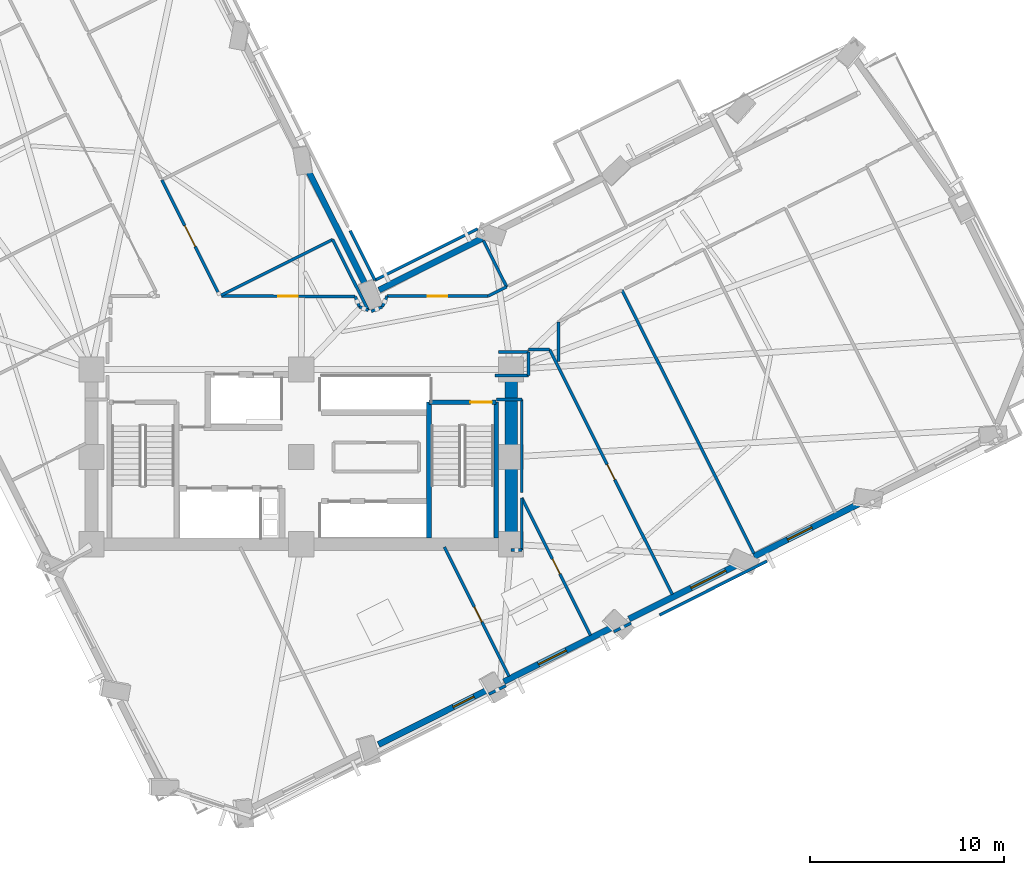
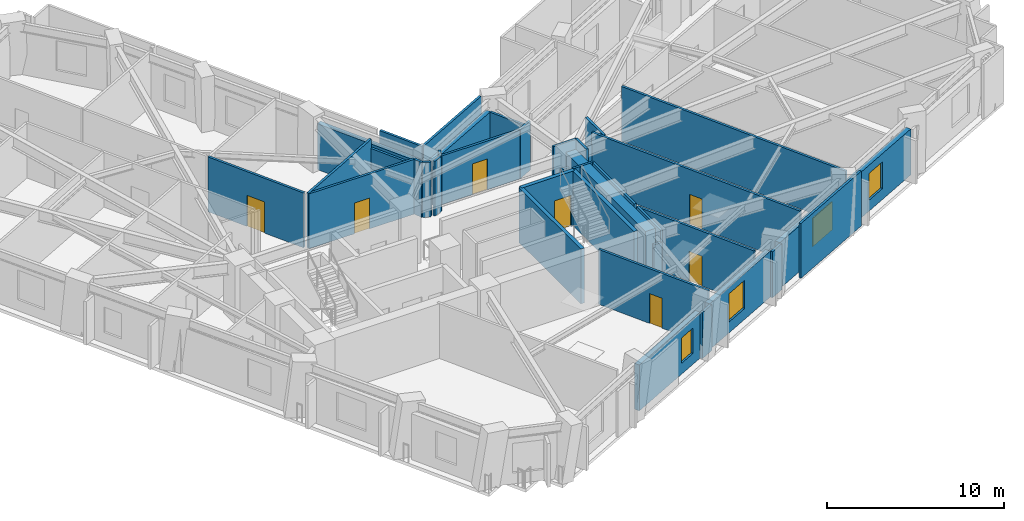
# One storey, part 9 of 16: 39 walls, 7 doors, 4 windows, 11 openings.
"""IFC4 building model written with IfcOpenShell, lengths in metres."""

from ifc_helpers import new_model, si_unit, direction, frame, frame_2d, origin, place, context, subcontext, project, spatial, rectangle, extrude, material, layer, layer_set, type_object, element, fill, save


model = new_model("IFC4")

# Units and contexts
model_context = context("Model", 3, precision=1e-05, world=origin(), true_north=direction((0.0, 1.0)))
body_context = subcontext(model_context, "Body", "Model", "MODEL_VIEW")
ifc_project = project(units=[si_unit("LENGTHUNIT", "METRE"), si_unit("AREAUNIT", "SQUARE_METRE"), si_unit("VOLUMEUNIT", "CUBIC_METRE"), si_unit("PLANEANGLEUNIT", "RADIAN"), si_unit("MASSUNIT", "GRAM", prefix="KILO")], contexts=[model_context])

# Site, building, storey
site_placement = place(None, origin())
site = spatial("IfcSite", under=ifc_project, at=site_placement, CompositionType="ELEMENT")
building_placement = place(site_placement, origin())
building = spatial("IfcBuilding", under=site, at=building_placement, Name="Gaonmaruhae Medical Tower", CompositionType="ELEMENT")
storey_placement = place(building_placement, frame((0.0, 0.0, 136.39990234375)))
storey = spatial("IfcBuildingStorey", under=building, at=storey_placement, Name="L32", CompositionType="ELEMENT", Elevation=136.39990234375)

# Wall
ifc_material_1 = material(Name="Concrete C60/75", Category="concrete")
ifc_layer_1 = layer(ifc_material_1, 0.64990234375)
ifc_layer_set_1 = layer_set([ifc_layer_1], Name="Concrete C60/75")
wall_type_1 = type_object("IfcWallType", Name="CW-650 Zone 2 Core Shear Wall", PredefinedType="SHEAR", material=ifc_layer_set_1)
wall_1_placement = place(storey_placement, frame((35.60009765625, 7.800048828125, 0.0), z_axis=(0.0, 0.0, 1.0), x_axis=(0.0, 1.0, 0.0)))
element("IfcWall", 1, at=wall_1_placement, inside=storey, type_object=wall_type_1, Name="L32 Core Shear Wall CSW-E1", PredefinedType="SHEAR", context=body_context, shape_type="SweptSolid", body=[
    extrude(rectangle(XDim=9.0, YDim=0.64990234375, at=frame_2d((4.5, 0.0))), origin(), (0.0, 0.0, 1.0), 3.780029296875),
])

# Wall, opening, window
ifc_material_2 = material(Name="Precast concrete C45/55", Category="concrete")
ifc_layer_2 = layer(ifc_material_2, 0.320068359375)
ifc_layer_set_2 = layer_set([ifc_layer_2], Name="Precast concrete C45/55")
wall_type_2 = type_object("IfcWallType", Name="EW-320 Lower Precast Masonry-Frame Facade Wall", PredefinedType="SOLIDWALL", material=ifc_layer_set_2)
wall_2_placement = place(storey_placement, frame((34.348876953125, 0.291259765625, 0.0), z_axis=(0.0, 0.0, 1.0), x_axis=(-0.89414504737, -0.447777438316, 0.0)))
wall_2 = element("IfcWall", 2, at=wall_2_placement, inside=storey, type_object=wall_type_2, Name="L32 Precast Masonry-Frame Wall S02-S03", PredefinedType="SOLIDWALL", context=body_context, shape_type="SweptSolid", body=[
    extrude(rectangle(XDim=6.234130859375, YDim=0.320068359375, at=frame_2d((3.1171875, 0.0))), origin(), (0.0, 0.0, 1.0), 3.1650390625),
])
opening_1_placement = place(wall_2_placement, frame((0.734375, 0.0, 0.75)))
opening_1 = element("IfcOpeningElement", 3, at=opening_1_placement, cuts=wall_2, Name="Opening WN-05", PredefinedType="OPENING", context=body_context, shape_type="SweptSolid", body=[
    extrude(rectangle(XDim=1.199951171875, YDim=1.75, at=frame_2d((0.60009765625, 0.875))), frame((0.0, 0.169921875, 0.0), z_axis=(0.0, -1.0, 0.0), x_axis=(1.0, 0.0, 0.0)), (0.0, 0.0, 1.0), 0.340087890625),
])
ifc_material_3 = material(Name="Anodised aluminium and Low-E double glazing", Category="aluminium")
window_type_1 = type_object("IfcWindowType", Name="WN-05 Support & Staff Punched Window 1200x1750", PartitioningType="SINGLE_PANEL", PredefinedType="WINDOW", material=ifc_material_3)
window_1_placement = place(opening_1_placement, origin())
window_1 = element("IfcWindow", 4, at=window_1_placement, inside=storey, type_object=window_type_1, Name="L32 Modular Facade Window S02", OverallHeight=1.75, OverallWidth=1.199951171875, PartitioningType="SINGLE_PANEL", PredefinedType="WINDOW", context=body_context, shape_type="SweptSolid", body=[
    extrude(rectangle(XDim=1.199951171875, YDim=1.75, at=frame_2d((0.60009765625, 0.875))), frame((0.0, 0.030029296875, 0.0), z_axis=(0.0, -1.0, 0.0), x_axis=(1.0, 0.0, 0.0)), (0.0, 0.0, 1.0), 0.06005859375),
])
fill(opening_1, window_1)

wall_3_placement = place(storey_placement, frame((40.78076171875, 3.511962890625, 0.0), z_axis=(0.0, 0.0, 1.0), x_axis=(-0.894152006982, -0.447763540734, 0.0)))
wall_3 = element("IfcWall", 5, at=wall_3_placement, inside=storey, type_object=wall_type_2, Name="L32 Precast Masonry-Frame Wall S03-S04", PredefinedType="SOLIDWALL", context=body_context, shape_type="SweptSolid", body=[
    extrude(rectangle(XDim=6.214111328125, YDim=0.320068359375, at=frame_2d((3.10693359375, 0.0))), origin(), (0.0, 0.0, 1.0), 3.1650390625),
])
opening_2_placement = place(wall_3_placement, frame((2.618896484375, 0.0, 0.75)))
opening_2 = element("IfcOpeningElement", 6, at=opening_2_placement, cuts=wall_3, Name="Opening WN-01", PredefinedType="OPENING", context=body_context, shape_type="SweptSolid", body=[
    extrude(rectangle(XDim=1.60009765625, YDim=1.949951171875, at=frame_2d((0.800048828125, 0.97509765625))), frame((0.0, 0.169921875, 0.0), z_axis=(0.0, -1.0, 0.0), x_axis=(1.0, 0.0, 0.0)), (0.0, 0.0, 1.0), 0.340087890625),
])
window_type_2 = type_object("IfcWindowType", Name="WN-01 Ward Punched Acoustic Window 1600x1950", PartitioningType="SINGLE_PANEL", PredefinedType="WINDOW", material=ifc_material_3)
window_2_placement = place(opening_2_placement, origin())
window_2 = element("IfcWindow", 7, at=window_2_placement, inside=storey, type_object=window_type_2, Name="L32 Modular Facade Window S03", OverallHeight=1.949951171875, OverallWidth=1.60009765625, PartitioningType="SINGLE_PANEL", PredefinedType="WINDOW", context=body_context, shape_type="SweptSolid", body=[
    extrude(rectangle(XDim=1.60009765625, YDim=1.949951171875, at=frame_2d((0.800048828125, 0.97509765625))), frame((0.0, 0.030029296875, 0.0), z_axis=(0.0, -1.0, 0.0), x_axis=(1.0, 0.0, 0.0)), (0.0, 0.0, 1.0), 0.06005859375),
])
fill(opening_2, window_2)

wall_4_placement = place(storey_placement, frame((47.21923828125, 6.736083984375, 0.0), z_axis=(0.0, 0.0, 1.0), x_axis=(-0.894159648303, -0.447748281232, 0.0)))
wall_4 = element("IfcWall", 8, at=wall_4_placement, inside=storey, type_object=wall_type_2, Name="L32 Precast Masonry-Frame Wall S04-S05", PredefinedType="SOLIDWALL", context=body_context, shape_type="SweptSolid", body=[
    extrude(rectangle(XDim=6.208984375, YDim=0.320068359375, at=frame_2d((3.1044921875, 0.0))), origin(), (0.0, 0.0, 1.0), 3.1650390625),
])
opening_3_placement = place(wall_4_placement, frame((0.64013671875, 0.0, 0.75)))
opening_3 = element("IfcOpeningElement", 9, at=opening_3_placement, cuts=wall_4, Name="Opening WN-02", PredefinedType="OPENING", context=body_context, shape_type="SweptSolid", body=[
    extrude(rectangle(XDim=2.0, YDim=1.949951171875, at=frame_2d((1.0, 0.97509765625))), frame((0.0, 0.169921875, 0.0), z_axis=(0.0, -1.0, 0.0), x_axis=(1.0, 0.0, 0.0)), (0.0, 0.0, 1.0), 0.340087890625),
])
window_type_3 = type_object("IfcWindowType", Name="WN-02 Double-Bed Ward Punched Window 2000x1950", PartitioningType="SINGLE_PANEL", PredefinedType="WINDOW", material=ifc_material_3)
window_3_placement = place(opening_3_placement, origin())
window_3 = element("IfcWindow", 10, at=window_3_placement, inside=storey, type_object=window_type_3, Name="L32 Modular Facade Window S04", OverallHeight=1.949951171875, OverallWidth=2.0, PartitioningType="SINGLE_PANEL", PredefinedType="WINDOW", context=body_context, shape_type="SweptSolid", body=[
    extrude(rectangle(XDim=2.0, YDim=1.949951171875, at=frame_2d((1.0, 0.97509765625))), frame((0.0, 0.030029296875, 0.0), z_axis=(0.0, -1.0, 0.0), x_axis=(1.0, 0.0, 0.0)), (0.0, 0.0, 1.0), 0.06005859375),
])
fill(opening_3, window_3)

wall_5_placement = place(storey_placement, frame((53.6640625, 9.96337890625, 0.0), z_axis=(0.0, 0.0, 1.0), x_axis=(-0.894160047845, -0.447747483341, 0.0)))
wall_5 = element("IfcWall", 11, at=wall_5_placement, inside=storey, type_object=wall_type_2, Name="L32 Precast Masonry-Frame Wall S05-S06", PredefinedType="SOLIDWALL", context=body_context, shape_type="SweptSolid", body=[
    extrude(rectangle(XDim=6.21826171875, YDim=0.320068359375, at=frame_2d((3.109130859375, 0.0))), origin(), (0.0, 0.0, 1.0), 3.1650390625),
])
opening_4_placement = place(wall_5_placement, frame((2.89208984375, 0.0, 0.75)))
opening_4 = element("IfcOpeningElement", 12, at=opening_4_placement, cuts=wall_5, Name="Opening WN-03", PredefinedType="OPENING", context=body_context, shape_type="SweptSolid", body=[
    extrude(rectangle(XDim=1.39990234375, YDim=1.85009765625, at=frame_2d((0.699951171875, 0.925048828125))), frame((0.0, 0.169921875, 0.0), z_axis=(0.0, -1.0, 0.0), x_axis=(1.0, 0.0, 0.0)), (0.0, 0.0, 1.0), 0.340087890625),
])
window_type_4 = type_object("IfcWindowType", Name="WN-03 Isolation Ward Punched Window 1400x1850", PartitioningType="SINGLE_PANEL", PredefinedType="WINDOW", material=ifc_material_3)
window_4_placement = place(opening_4_placement, origin())
window_4 = element("IfcWindow", 13, at=window_4_placement, inside=storey, type_object=window_type_4, Name="L32 Modular Facade Window S05", OverallHeight=1.85009765625, OverallWidth=1.39990234375, PartitioningType="SINGLE_PANEL", PredefinedType="WINDOW", context=body_context, shape_type="SweptSolid", body=[
    extrude(rectangle(XDim=1.39990234375, YDim=1.85009765625, at=frame_2d((0.699951171875, 0.925048828125))), frame((0.0, 0.030029296875, 0.0), z_axis=(0.0, -1.0, 0.0), x_axis=(1.0, 0.0, 0.0)), (0.0, 0.0, 1.0), 0.06005859375),
])
fill(opening_4, window_4)

# Walls
wall_6_placement = place(storey_placement, frame((28.79931640625, 20.885986328125, 0.0), z_axis=(0.0, 0.0, 1.0), x_axis=(0.894148466578, 0.447770610599, 0.0)))
element("IfcWall", 14, at=wall_6_placement, inside=storey, type_object=wall_type_2, Name="L32 Precast Masonry-Frame Wall EN03-KN01", PredefinedType="SOLIDWALL", context=body_context, shape_type="SweptSolid", body=[
    extrude(rectangle(XDim=5.9599609375, YDim=0.320068359375, at=frame_2d((2.97998046875, 0.0))), origin(), (0.0, 0.0, 1.0), 2.965087890625),
])
wall_7_placement = place(storey_placement, frame((25.123046875, 27.099609375, 0.0), z_axis=(0.0, 0.0, 1.0), x_axis=(0.447762469935, -0.894152543204, 0.0)))
element("IfcWall", 15, at=wall_7_placement, inside=storey, type_object=wall_type_2, Name="L32 Precast Masonry-Frame Wall KN01-NE01", PredefinedType="SOLIDWALL", context=body_context, shape_type="SweptSolid", body=[
    extrude(rectangle(XDim=6.760009765625, YDim=0.320068359375, at=frame_2d((3.3798828125, 0.0))), origin(), (0.0, 0.0, 1.0), 3.1650390625),
])
ifc_material_4 = material(Name="Gypsum board partition", Category="gypsum")
ifc_layer_3 = layer(ifc_material_4, 0.14990234375)
ifc_layer_set_3 = layer_set([ifc_layer_3], Name="Gypsum board partition")
wall_type_3 = type_object("IfcWallType", Name="PW-150 Rated Clinical Corridor Partition", PredefinedType="PARTITIONING", material=ifc_layer_set_3)
wall_8_placement = place(storey_placement, frame((35.326904296875, 0.52392578125, 0.0), z_axis=(0.0, 0.0, 1.0), x_axis=(-0.893827844482, -0.44841028582, 0.0)))
element("IfcWall", 16, at=wall_8_placement, inside=storey, type_object=wall_type_3, Name="L32 Interior Partition L32-SUP04-9", PredefinedType="PARTITIONING", context=body_context, shape_type="SweptSolid", body=[
    extrude(rectangle(XDim=0.97900390625, YDim=0.14990234375, at=frame_2d((0.489501953125, 0.0))), origin(), (0.0, 0.0, 1.0), 3.1650390625),
])

# Wall, opening, door
wall_9_placement = place(storey_placement, frame((32.1640625, 7.656982421875, 0.0), z_axis=(0.0, 0.0, 1.0), x_axis=(0.447686753876, -0.89419045533, 0.0)))
wall_9 = element("IfcWall", 17, at=wall_9_placement, inside=storey, type_object=wall_type_3, Name="L32 Interior Partition L32-SUP04-10", PredefinedType="PARTITIONING", context=body_context, shape_type="SweptSolid", body=[
    extrude(rectangle(XDim=7.42919921875, YDim=0.14990234375, at=frame_2d((3.714599609375, 0.0))), origin(), (0.0, 0.0, 1.0), 3.780029296875),
])
opening_5_placement = place(wall_9_placement, frame((3.4521484375, 0.0, 0.0)))
opening_5 = element("IfcOpeningElement", 18, at=opening_5_placement, cuts=wall_9, Name="Opening AD-01", PredefinedType="OPENING", context=body_context, shape_type="SweptSolid", body=[
    extrude(rectangle(XDim=0.860107421875, YDim=2.06005859375, at=frame_2d((0.43017578125, 1.030029296875))), frame((0.0, 0.0849609375, 0.0), z_axis=(0.0, -1.0, 0.0), x_axis=(1.0, 0.0, 0.0)), (0.0, 0.0, 1.0), 0.169921875),
])
ifc_material_5 = material(Name="Powder-coated steel access door", Category="steel")
door_type_1 = type_object("IfcDoorType", Name="AD-01 Riser & Closet Access Fire Door 860x2060", OperationType="NOTDEFINED", PredefinedType="DOOR", material=ifc_material_5)
door_1_placement = place(opening_5_placement, origin())
door_1 = element("IfcDoor", 19, at=door_1_placement, inside=storey, type_object=door_type_1, Name="L32 Clinical Biomedical Charting Office Sliding Door", OperationType="SLIDING_TO_LEFT", OverallHeight=2.06005859375, OverallWidth=0.860107421875, PredefinedType="DOOR", context=body_context, shape_type="SweptSolid", body=[
    extrude(rectangle(XDim=0.860107421875, YDim=2.06005859375, at=frame_2d((0.43017578125, 1.030029296875))), frame((0.0, 0.02490234375, 0.0), z_axis=(0.0, -1.0, 0.0), x_axis=(1.0, 0.0, 0.0)), (0.0, 0.0, 1.0), 0.050048828125),
])
fill(opening_5, door_1)

wall_10_placement = place(storey_placement, frame((36.14990234375, 10.194091796875, 0.0), z_axis=(0.0, 0.0, 1.0), x_axis=(0.447781215356, -0.894143155862, 0.0)))
wall_10 = element("IfcWall", 20, at=wall_10_placement, inside=storey, type_object=wall_type_3, Name="L32 Interior Partition L32-SUP05-11", PredefinedType="PARTITIONING", context=body_context, shape_type="SweptSolid", body=[
    extrude(rectangle(XDim=7.912841796875, YDim=0.14990234375, at=frame_2d((3.95654296875, 0.0))), origin(), (0.0, 0.0, 1.0), 3.780029296875),
])
opening_6_placement = place(wall_10_placement, frame((3.5263671875, 0.0, 0.0)))
opening_6 = element("IfcOpeningElement", 21, at=opening_6_placement, cuts=wall_10, Name="Opening AD-01", PredefinedType="OPENING", context=body_context, shape_type="SweptSolid", body=[
    extrude(rectangle(XDim=0.860107421875, YDim=2.06005859375, at=frame_2d((0.43017578125, 1.030029296875))), frame((0.0, 0.0849609375, 0.0), z_axis=(0.0, -1.0, 0.0), x_axis=(1.0, 0.0, 0.0)), (0.0, 0.0, 1.0), 0.169921875),
])
door_2_placement = place(opening_6_placement, origin())
door_2 = element("IfcDoor", 22, at=door_2_placement, inside=storey, type_object=door_type_1, Name="L32 Clinical Biomedical Charting Office Sliding Door", OperationType="SLIDING_TO_LEFT", OverallHeight=2.06005859375, OverallWidth=0.860107421875, PredefinedType="DOOR", context=body_context, shape_type="SweptSolid", body=[
    extrude(rectangle(XDim=0.860107421875, YDim=2.06005859375, at=frame_2d((0.43017578125, 1.030029296875))), frame((0.0, 0.02490234375, 0.0), z_axis=(0.0, -1.0, 0.0), x_axis=(1.0, 0.0, 0.0)), (0.0, 0.0, 1.0), 0.050048828125),
])
fill(opening_6, door_2)

# Walls
wall_11_placement = place(storey_placement, frame((35.60009765625, 7.5, 0.0), z_axis=(0.0, 0.0, 1.0), x_axis=(1.0, 0.0, 0.0)))
element("IfcWall", 23, at=wall_11_placement, inside=storey, type_object=wall_type_3, Name="L32 Interior Partition L32-SUP05-12", PredefinedType="PARTITIONING", context=body_context, shape_type="SweptSolid", body=[
    extrude(rectangle(XDim=0.5498046875, YDim=0.14990234375, at=frame_2d((0.27490234375, 0.0))), origin(), (0.0, 0.0, 1.0), 2.965087890625),
])
wall_12_placement = place(storey_placement, frame((36.14990234375, 7.5, 0.0), z_axis=(0.0, 0.0, 1.0), x_axis=(0.0, 1.0, 0.0)))
element("IfcWall", 24, at=wall_12_placement, inside=storey, type_object=wall_type_3, Name="L32 Interior Partition L32-SUP05-13", PredefinedType="PARTITIONING", context=body_context, shape_type="SweptSolid", body=[
    extrude(rectangle(XDim=2.694091796875, YDim=0.14990234375, at=frame_2d((1.34716796875, 0.0))), origin(), (0.0, 0.0, 1.0), 3.780029296875),
])
wall_13_placement = place(storey_placement, frame((34.777099609375, 16.5, 0.0), z_axis=(0.0, 0.0, 1.0), x_axis=(1.0, 0.0, 0.0)))
element("IfcWall", 25, at=wall_13_placement, inside=storey, type_object=wall_type_3, Name="L32 Interior Partition L32-SUP06-14", PredefinedType="PARTITIONING", context=body_context, shape_type="SweptSolid", body=[
    extrude(rectangle(XDim=1.722900390625, YDim=0.14990234375, at=frame_2d((0.861328125, 0.0))), origin(), (0.0, 0.0, 1.0), 2.965087890625),
])
wall_14_placement = place(storey_placement, frame((36.5, 16.5, 0.0), z_axis=(0.0, 0.0, 1.0), x_axis=(0.0, 1.0, 0.0)))
element("IfcWall", 26, at=wall_14_placement, inside=storey, type_object=wall_type_3, Name="L32 Interior Partition L32-SUP06-15", PredefinedType="PARTITIONING", context=body_context, shape_type="SweptSolid", body=[
    extrude(rectangle(XDim=1.199951171875, YDim=0.14990234375, at=frame_2d((0.60009765625, 0.0))), origin(), (0.0, 0.0, 1.0), 3.780029296875),
])
wall_15_placement = place(storey_placement, frame((36.5, 17.699951171875, 0.0), z_axis=(0.0, 0.0, 1.0), x_axis=(-1.0, 0.0, 0.0)))
element("IfcWall", 27, at=wall_15_placement, inside=storey, type_object=wall_type_3, Name="L32 Interior Partition L32-SUP06-16", PredefinedType="PARTITIONING", context=body_context, shape_type="SweptSolid", body=[
    extrude(rectangle(XDim=1.556884765625, YDim=0.14990234375, at=frame_2d((0.7783203125, 0.0))), origin(), (0.0, 0.0, 1.0), 3.780029296875),
])
wall_16_placement = place(storey_placement, frame((36.5, 17.820068359375, 0.0), z_axis=(0.0, 0.0, 1.0), x_axis=(1.0, 0.0, 0.0)))
element("IfcWall", 28, at=wall_16_placement, inside=storey, type_object=wall_type_3, Name="L32 Interior Partition L32-SUP06-17", PredefinedType="PARTITIONING", context=body_context, shape_type="SweptSolid", body=[
    extrude(rectangle(XDim=1.0869140625, YDim=0.14990234375, at=frame_2d((0.54345703125, 0.0))), origin(), (0.0, 0.0, 1.0), 2.965087890625),
])

# Wall, opening, door
wall_17_placement = place(storey_placement, frame((37.5869140625, 17.820068359375, 0.0), z_axis=(0.0, 0.0, 1.0), x_axis=(0.447754187631, -0.894156690664, 0.0)))
wall_17 = element("IfcWall", 29, at=wall_17_placement, inside=storey, type_object=wall_type_3, Name="L32 Interior Partition L32-SUP06-18", PredefinedType="PARTITIONING", context=body_context, shape_type="SweptSolid", body=[
    extrude(rectangle(XDim=14.08837890625, YDim=0.14990234375, at=frame_2d((7.044189453125, 0.0))), origin(), (0.0, 0.0, 1.0), 3.780029296875),
])
opening_7_placement = place(wall_17_placement, frame((6.614013671875, 0.0, 0.0)))
opening_7 = element("IfcOpeningElement", 30, at=opening_7_placement, cuts=wall_17, Name="Opening AD-01", PredefinedType="OPENING", context=body_context, shape_type="SweptSolid", body=[
    extrude(rectangle(XDim=0.860107421875, YDim=2.06005859375, at=frame_2d((0.43017578125, 1.030029296875))), frame((0.0, 0.0849609375, 0.0), z_axis=(0.0, -1.0, 0.0), x_axis=(1.0, 0.0, 0.0)), (0.0, 0.0, 1.0), 0.169921875),
])
door_3_placement = place(opening_7_placement, origin())
door_3 = element("IfcDoor", 31, at=door_3_placement, inside=storey, type_object=door_type_1, Name="L32 Clinical Biomedical Charting Office Sliding Door", OperationType="SLIDING_TO_LEFT", OverallHeight=2.06005859375, OverallWidth=0.860107421875, PredefinedType="DOOR", context=body_context, shape_type="SweptSolid", body=[
    extrude(rectangle(XDim=0.860107421875, YDim=2.06005859375, at=frame_2d((0.43017578125, 1.030029296875))), frame((0.0, 0.02490234375, 0.0), z_axis=(0.0, -1.0, 0.0), x_axis=(1.0, 0.0, 0.0)), (0.0, 0.0, 1.0), 0.050048828125),
])
fill(opening_7, door_3)

# Walls
wall_18_placement = place(storey_placement, frame((41.77001953125, 3.75, 0.0), z_axis=(0.0, 0.0, 1.0), x_axis=(-0.893983331668, -0.448100215019, 0.0)))
element("IfcWall", 32, at=wall_18_placement, inside=storey, type_object=wall_type_3, Name="L32 Interior Partition L32-SUP06-19", PredefinedType="PARTITIONING", context=body_context, shape_type="SweptSolid", body=[
    extrude(rectangle(XDim=0.990966796875, YDim=0.14990234375, at=frame_2d((0.49560546875, 0.0))), origin(), (0.0, 0.0, 1.0), 3.1650390625),
])
wall_19_placement = place(storey_placement, frame((36.14990234375, 10.472900390625, 0.0), z_axis=(0.0, 0.0, 1.0), x_axis=(0.0, 1.0, 0.0)))
element("IfcWall", 33, at=wall_19_placement, inside=storey, type_object=wall_type_3, Name="L32 Interior Partition L32-SUP06-20", PredefinedType="PARTITIONING", context=body_context, shape_type="SweptSolid", body=[
    extrude(rectangle(XDim=4.787109375, YDim=0.14990234375, at=frame_2d((2.3935546875, 0.0))), origin(), (0.0, 0.0, 1.0), 3.780029296875),
])
wall_20_placement = place(storey_placement, frame((36.14990234375, 15.260009765625, 0.0), z_axis=(0.0, 0.0, 1.0), x_axis=(-1.0, 0.0, 0.0)))
element("IfcWall", 34, at=wall_20_placement, inside=storey, type_object=wall_type_3, Name="L32 Interior Partition L32-SUP06-21", PredefinedType="PARTITIONING", context=body_context, shape_type="SweptSolid", body=[
    extrude(rectangle(XDim=1.2998046875, YDim=0.14990234375, at=frame_2d((0.64990234375, 0.0))), origin(), (0.0, 0.0, 1.0), 3.780029296875),
])
wall_21_placement = place(storey_placement, frame((38.030029296875, 17.215087890625, 0.0), z_axis=(0.0, 0.0, 1.0), x_axis=(0.0, 1.0, 0.0)))
element("IfcWall", 35, at=wall_21_placement, inside=storey, type_object=wall_type_3, Name="L32 Interior Partition L32-SUP07-22", PredefinedType="PARTITIONING", context=body_context, shape_type="SweptSolid", body=[
    extrude(rectangle(XDim=2.031005859375, YDim=0.14990234375, at=frame_2d((1.015625, 0.0))), origin(), (0.0, 0.0, 1.0), 3.780029296875),
])
wall_22_placement = place(storey_placement, frame((41.30810546875, 20.886962890625, 0.0), z_axis=(0.0, 0.0, 1.0), x_axis=(0.447793043956, -0.894137232076, 0.0)))
element("IfcWall", 36, at=wall_22_placement, inside=storey, type_object=wall_type_3, Name="L32 Interior Partition L32-SUP07-24", PredefinedType="PARTITIONING", context=body_context, shape_type="SweptSolid", body=[
    extrude(rectangle(XDim=15.16552734375, YDim=0.14990234375, at=frame_2d((7.582763671875, 0.0))), origin(), (0.0, 0.0, 1.0), 3.780029296875),
])

# Wall, opening, door
wall_23_placement = place(storey_placement, frame((27.572021484375, 20.56103515625, 0.0), z_axis=(0.0, 0.0, 1.0), x_axis=(-0.999996180723, 0.002763790734, 0.0)))
wall_23 = element("IfcWall", 37, at=wall_23_placement, inside=storey, type_object=wall_type_3, Name="L32 Interior Partition L32-IE01-61", PredefinedType="PARTITIONING", context=body_context, shape_type="SweptSolid", body=[
    extrude(rectangle(XDim=6.89013671875, YDim=0.14990234375, at=frame_2d((3.445068359375, 0.0))), origin(), (0.0, 0.0, 1.0), 3.780029296875),
])
opening_8_placement = place(wall_23_placement, frame((2.945068359375, 0.0, 0.0)))
opening_8 = element("IfcOpeningElement", 38, at=opening_8_placement, cuts=wall_23, Name="Opening CD-01", PredefinedType="OPENING", context=body_context, shape_type="SweptSolid", body=[
    extrude(rectangle(XDim=1.0, YDim=2.1201171875, at=frame_2d((0.5, 1.06005859375))), frame((0.0, 0.0849609375, 0.0), z_axis=(0.0, -1.0, 0.0), x_axis=(1.0, 0.0, 0.0)), (0.0, 0.0, 1.0), 0.169921875),
])
ifc_material_6 = material(Name="Antimicrobial laminate timber fire door", Category="wood")
door_type_2 = type_object("IfcDoorType", Name="CD-01 Consultation & Physician Office Door 1000x2120", OperationType="NOTDEFINED", PredefinedType="DOOR", material=ifc_material_6)
door_4_placement = place(opening_8_placement, origin())
door_4 = element("IfcDoor", 39, at=door_4_placement, inside=storey, type_object=door_type_2, Name="L32 Central Clinical Nurse Station Door", OperationType="SINGLE_SWING_RIGHT", OverallHeight=2.1201171875, OverallWidth=1.0, PredefinedType="DOOR", context=body_context, shape_type="SweptSolid", body=[
    extrude(rectangle(XDim=1.0, YDim=2.1201171875, at=frame_2d((0.5, 1.06005859375))), frame((0.0, 0.02490234375, 0.0), z_axis=(0.0, -1.0, 0.0), x_axis=(1.0, 0.0, 0.0)), (0.0, 0.0, 1.0), 0.050048828125),
])
fill(opening_8, door_4)

# Walls
wall_24_placement = place(storey_placement, frame((20.6650390625, 20.614990234375, 0.0), z_axis=(0.0, 0.0, 1.0), x_axis=(0.894138524152, 0.447790463976, 0.0)))
element("IfcWall", 40, at=wall_24_placement, inside=storey, type_object=wall_type_3, Name="L32 Interior Partition L32-IE01-62", PredefinedType="PARTITIONING", context=body_context, shape_type="SweptSolid", body=[
    extrude(rectangle(XDim=6.431884765625, YDim=0.14990234375, at=frame_2d((3.2158203125, 0.0))), origin(), (0.0, 0.0, 1.0), 3.780029296875),
])
wall_25_placement = place(storey_placement, frame((26.416015625, 23.4951171875, 0.0), z_axis=(0.0, 0.0, 1.0), x_axis=(0.447810576622, -0.894128451323, 0.0)))
element("IfcWall", 41, at=wall_25_placement, inside=storey, type_object=wall_type_3, Name="L32 Interior Partition L32-IE01-63", PredefinedType="PARTITIONING", context=body_context, shape_type="SweptSolid", body=[
    extrude(rectangle(XDim=4.0888671875, YDim=0.14990234375, at=frame_2d((2.04443359375, 0.0))), origin(), (0.0, 0.0, 1.0), 3.1650390625),
])
wall_26_placement = place(storey_placement, frame((28.2470703125, 19.839111328125, 0.0), z_axis=(0.0, 0.0, 1.0), x_axis=(-0.923956302996, 0.382498039412, 0.0)))
element("IfcWall", 42, at=wall_26_placement, inside=storey, type_object=wall_type_3, Name="L32 Interior Partition L32-IE01-64", PredefinedType="PARTITIONING", context=body_context, shape_type="SweptSolid", body=[
    extrude(rectangle(XDim=0.491455078125, YDim=0.14990234375, at=frame_2d((0.24560546875, 0.0))), origin(), (0.0, 0.0, 1.0), 3.780029296875),
])
wall_27_placement = place(storey_placement, frame((27.79296875, 20.027099609375, 0.0), z_axis=(0.0, 0.0, 1.0), x_axis=(-0.382364231834, 0.924011685107, 0.0)))
element("IfcWall", 43, at=wall_27_placement, inside=storey, type_object=wall_type_3, Name="L32 Interior Partition L32-IE01-65", PredefinedType="PARTITIONING", context=body_context, shape_type="SweptSolid", body=[
    extrude(rectangle(XDim=0.577880859375, YDim=0.14990234375, at=frame_2d((0.2890625, 0.0))), origin(), (0.0, 0.0, 1.0), 3.780029296875),
])
wall_28_placement = place(storey_placement, frame((29.218017578125, 20.580078125, 0.0), z_axis=(0.0, 0.0, 1.0), x_axis=(-0.406587519567, -0.913611837123, 0.0)))
element("IfcWall", 44, at=wall_28_placement, inside=storey, type_object=wall_type_3, Name="L32 Interior Partition L32-IE02-66", PredefinedType="PARTITIONING", context=body_context, shape_type="SweptSolid", body=[
    extrude(rectangle(XDim=0.605224609375, YDim=0.14990234375, at=frame_2d((0.302734375, 0.0))), origin(), (0.0, 0.0, 1.0), 3.780029296875),
])
wall_29_placement = place(storey_placement, frame((28.971923828125, 20.027099609375, 0.0), z_axis=(0.0, 0.0, 1.0), x_axis=(-0.923944226518, -0.382527209861, 0.0)))
element("IfcWall", 45, at=wall_29_placement, inside=storey, type_object=wall_type_3, Name="L32 Interior Partition L32-IE02-67", PredefinedType="PARTITIONING", context=body_context, shape_type="SweptSolid", body=[
    extrude(rectangle(XDim=0.614501953125, YDim=0.14990234375, at=frame_2d((0.30712890625, 0.0))), origin(), (0.0, 0.0, 1.0), 3.780029296875),
])
wall_30_placement = place(storey_placement, frame((27.31689453125, 23.946044921875, 0.0), z_axis=(0.0, 0.0, 1.0), x_axis=(0.447796055297, -0.894135723959, 0.0)))
element("IfcWall", 46, at=wall_30_placement, inside=storey, type_object=wall_type_3, Name="L32 Interior Partition L32-IE02-68", PredefinedType="PARTITIONING", context=body_context, shape_type="SweptSolid", body=[
    extrude(rectangle(XDim=2.849853515625, YDim=0.14990234375, at=frame_2d((1.4248046875, 0.0))), origin(), (0.0, 0.0, 1.0), 3.780029296875),
])
wall_31_placement = place(storey_placement, frame((28.593017578125, 21.39794921875, 0.0), z_axis=(0.0, 0.0, 1.0), x_axis=(0.894187389423, 0.447692877536, 0.0)))
element("IfcWall", 47, at=wall_31_placement, inside=storey, type_object=wall_type_3, Name="L32 Interior Partition L32-IE02-69", PredefinedType="PARTITIONING", context=body_context, shape_type="SweptSolid", body=[
    extrude(rectangle(XDim=5.908203125, YDim=0.14990234375, at=frame_2d((2.9541015625, 0.0))), origin(), (0.0, 0.0, 1.0), 3.780029296875),
])
wall_32_placement = place(storey_placement, frame((34.181884765625, 23.430908203125, 0.0), z_axis=(0.0, 0.0, 1.0), x_axis=(0.447875493848, -0.894095935574, 0.0)))
element("IfcWall", 48, at=wall_32_placement, inside=storey, type_object=wall_type_3, Name="L32 Interior Partition L32-IE02-70", PredefinedType="PARTITIONING", context=body_context, shape_type="SweptSolid", body=[
    extrude(rectangle(XDim=2.6552734375, YDim=0.14990234375, at=frame_2d((1.32763671875, 0.0))), origin(), (0.0, 0.0, 1.0), 2.965087890625),
])
wall_33_placement = place(storey_placement, frame((35.37109375, 21.056884765625, 0.0), z_axis=(0.0, 0.0, 1.0), x_axis=(-0.894151898084, -0.447763758194, 0.0)))
element("IfcWall", 49, at=wall_33_placement, inside=storey, type_object=wall_type_3, Name="L32 Interior Partition L32-IE02-71", PredefinedType="PARTITIONING", context=body_context, shape_type="SweptSolid", body=[
    extrude(rectangle(XDim=1.06494140625, YDim=0.14990234375, at=frame_2d((0.532470703125, 0.0))), origin(), (0.0, 0.0, 1.0), 3.364990234375),
])

# Wall, opening, door
wall_34_placement = place(storey_placement, frame((34.4189453125, 20.580078125, 0.0), z_axis=(0.0, 0.0, 1.0), x_axis=(-1.0, 0.0, 0.0)))
wall_34 = element("IfcWall", 50, at=wall_34_placement, inside=storey, type_object=wall_type_3, Name="L32 Interior Partition L32-IE02-72", PredefinedType="PARTITIONING", context=body_context, shape_type="SweptSolid", body=[
    extrude(rectangle(XDim=5.200927734375, YDim=0.14990234375, at=frame_2d((2.6005859375, 0.0))), origin(), (0.0, 0.0, 1.0), 3.364990234375),
])
opening_9_placement = place(wall_34_placement, frame((2.1005859375, 0.0, 0.0)))
opening_9 = element("IfcOpeningElement", 51, at=opening_9_placement, cuts=wall_34, Name="Opening CD-01", PredefinedType="OPENING", context=body_context, shape_type="SweptSolid", body=[
    extrude(rectangle(XDim=1.0, YDim=2.1201171875, at=frame_2d((0.5, 1.06005859375))), frame((0.0, 0.0849609375, 0.0), z_axis=(0.0, -1.0, 0.0), x_axis=(1.0, 0.0, 0.0)), (0.0, 0.0, 1.0), 0.169921875),
])
door_5_placement = place(opening_9_placement, origin())
door_5 = element("IfcDoor", 52, at=door_5_placement, inside=storey, type_object=door_type_2, Name="L32 Acute Treatment Examination Room Door", OperationType="SINGLE_SWING_LEFT", OverallHeight=2.1201171875, OverallWidth=1.0, PredefinedType="DOOR", context=body_context, shape_type="SweptSolid", body=[
    extrude(rectangle(XDim=1.0, YDim=2.1201171875, at=frame_2d((0.5, 1.06005859375))), frame((0.0, 0.02490234375, 0.0), z_axis=(0.0, -1.0, 0.0), x_axis=(1.0, 0.0, 0.0)), (0.0, 0.0, 1.0), 0.050048828125),
])
fill(opening_9, door_5)

wall_35_placement = place(storey_placement, frame((20.51708984375, 20.77587890625, 0.0), z_axis=(0.0, 0.0, 1.0), x_axis=(-0.447833274266, 0.894117083195, 0.0)))
wall_35 = element("IfcWall", 53, at=wall_35_placement, inside=storey, type_object=wall_type_3, Name="L32 Interior Partition L32-IN01-85", PredefinedType="PARTITIONING", context=body_context, shape_type="SweptSolid", body=[
    extrude(rectangle(XDim=6.460205078125, YDim=0.14990234375, at=frame_2d((3.22998046875, 0.0))), origin(), (0.0, 0.0, 1.0), 3.780029296875),
])
opening_10_placement = place(wall_35_placement, frame((2.6298828125, 0.0, 0.0)))
opening_10 = element("IfcOpeningElement", 54, at=opening_10_placement, cuts=wall_35, Name="Opening CD-02", PredefinedType="OPENING", context=body_context, shape_type="SweptSolid", body=[
    extrude(rectangle(XDim=1.199951171875, YDim=2.14990234375, at=frame_2d((0.60009765625, 1.074951171875))), frame((0.0, 0.0849609375, 0.0), z_axis=(0.0, -1.0, 0.0), x_axis=(1.0, 0.0, 0.0)), (0.0, 0.0, 1.0), 0.169921875),
])
door_type_3 = type_object("IfcDoorType", Name="CD-02 Clinical Treatment & Procedure Door 1200x2150", OperationType="NOTDEFINED", PredefinedType="DOOR", material=ifc_material_6)
door_6_placement = place(opening_10_placement, origin())
door_6 = element("IfcDoor", 55, at=door_6_placement, inside=storey, type_object=door_type_3, Name="L32 Physician Consultation Office Door", OperationType="SINGLE_SWING_LEFT", OverallHeight=2.14990234375, OverallWidth=1.199951171875, PredefinedType="DOOR", context=body_context, shape_type="SweptSolid", body=[
    extrude(rectangle(XDim=1.199951171875, YDim=2.14990234375, at=frame_2d((0.60009765625, 1.074951171875))), frame((0.0, 0.02490234375, 0.0), z_axis=(0.0, -1.0, 0.0), x_axis=(1.0, 0.0, 0.0)), (0.0, 0.0, 1.0), 0.050048828125),
])
fill(opening_10, door_6)

# Wall
wall_36_placement = place(storey_placement, frame((48.77587890625, 6.93408203125, 0.0), z_axis=(0.0, 0.0, 1.0), x_axis=(-0.894135147504, -0.447797206332, 0.0)))
element("IfcWall", 56, at=wall_36_placement, inside=storey, type_object=wall_type_3, Name="L32 Interior Partition L32-RM04-104", PredefinedType="PARTITIONING", context=body_context, shape_type="SweptSolid", body=[
    extrude(rectangle(XDim=6.190185546875, YDim=0.14990234375, at=frame_2d((3.09521484375, 0.0))), origin(), (0.0, 0.0, 1.0), 3.780029296875),
])

# Wall, opening, door
ifc_material_7 = material(Name="Concrete C50/60", Category="concrete")
ifc_layer_4 = layer(ifc_material_7, 0.239990234375)
ifc_layer_set_4 = layer_set([ifc_layer_4], Name="Concrete C50/60")
wall_type_4 = type_object("IfcWallType", Name="SW-240 Dogleg Stair Tight Shaft Wall", PredefinedType="SOLIDWALL", material=ifc_layer_set_4)
wall_37_placement = place(storey_placement, frame((31.3701171875, 15.1201171875, 0.0), z_axis=(0.0, 0.0, 1.0), x_axis=(1.0, 0.0, 0.0)))
wall_37 = element("IfcWall", 57, at=wall_37_placement, inside=storey, type_object=wall_type_4, Name="L32 ST-02 Stair Shaft Wall SHW-ST-02-N", PredefinedType="SOLIDWALL", context=body_context, shape_type="SweptSolid", body=[
    extrude(rectangle(XDim=3.4599609375, YDim=0.239990234375, at=frame_2d((1.72998046875, 0.0))), origin(), (0.0, 0.0, 1.0), 3.780029296875),
])
opening_11_placement = place(wall_37_placement, frame((2.139892578125, 0.0, 0.0)))
opening_11 = element("IfcOpeningElement", 58, at=opening_11_placement, cuts=wall_37, Name="Opening FD-01", PredefinedType="OPENING", context=body_context, shape_type="SweptSolid", body=[
    extrude(rectangle(XDim=1.10009765625, YDim=2.14990234375, at=frame_2d((0.550048828125, 1.074951171875))), frame((0.0, 0.1298828125, 0.0), z_axis=(0.0, -1.0, 0.0), x_axis=(1.0, 0.0, 0.0)), (0.0, 0.0, 1.0), 0.260009765625),
])
ifc_material_8 = material(Name="Powder-coated steel fire door", Category="steel")
door_type_4 = type_object("IfcDoorType", Name="FD-01 Escape Stair Protected Fire Door 1100x2150", OperationType="NOTDEFINED", PredefinedType="DOOR", material=ifc_material_8)
door_7_placement = place(opening_11_placement, origin())
door_7 = element("IfcDoor", 59, at=door_7_placement, inside=storey, type_object=door_type_4, Name="L32 ST-02 Protected Escape Stair Door", OperationType="SINGLE_SWING_LEFT", OverallHeight=2.14990234375, OverallWidth=1.10009765625, PredefinedType="DOOR", context=body_context, shape_type="SweptSolid", body=[
    extrude(rectangle(XDim=1.10009765625, YDim=2.14990234375, at=frame_2d((0.550048828125, 1.074951171875))), frame((0.0, 0.02490234375, 0.0), z_axis=(0.0, -1.0, 0.0), x_axis=(1.0, 0.0, 0.0)), (0.0, 0.0, 1.0), 0.050048828125),
])
fill(opening_11, door_7)

# Walls
for number, where, z_axis, x_axis, name in (
    (60, (34.830078125, 15.1201171875, 0.0), (0.0, 0.0, 1.0), (0.0, -1.0, 0.0), "L32 ST-02 Stair Shaft Wall SHW-ST-02-E"),
    (61, (31.3701171875, 8.125, 0.0), (0.0, 0.0, 1.0), (0.0, 1.0, 0.0), "L32 ST-02 Stair Shaft Wall SHW-ST-02-W"),
):
    element("IfcWall", number, at=place(storey_placement, frame(where, z_axis=z_axis, x_axis=x_axis)), inside=storey, type_object=wall_type_4, Name=name, PredefinedType="SOLIDWALL", context=body_context, shape_type="SweptSolid", body=[
        extrude(rectangle(XDim=6.9951171875, YDim=0.239990234375, at=frame_2d((3.49755859375, 0.0))), origin(), (0.0, 0.0, 1.0), 3.780029296875),
    ])

save(model, "model.ifc")
